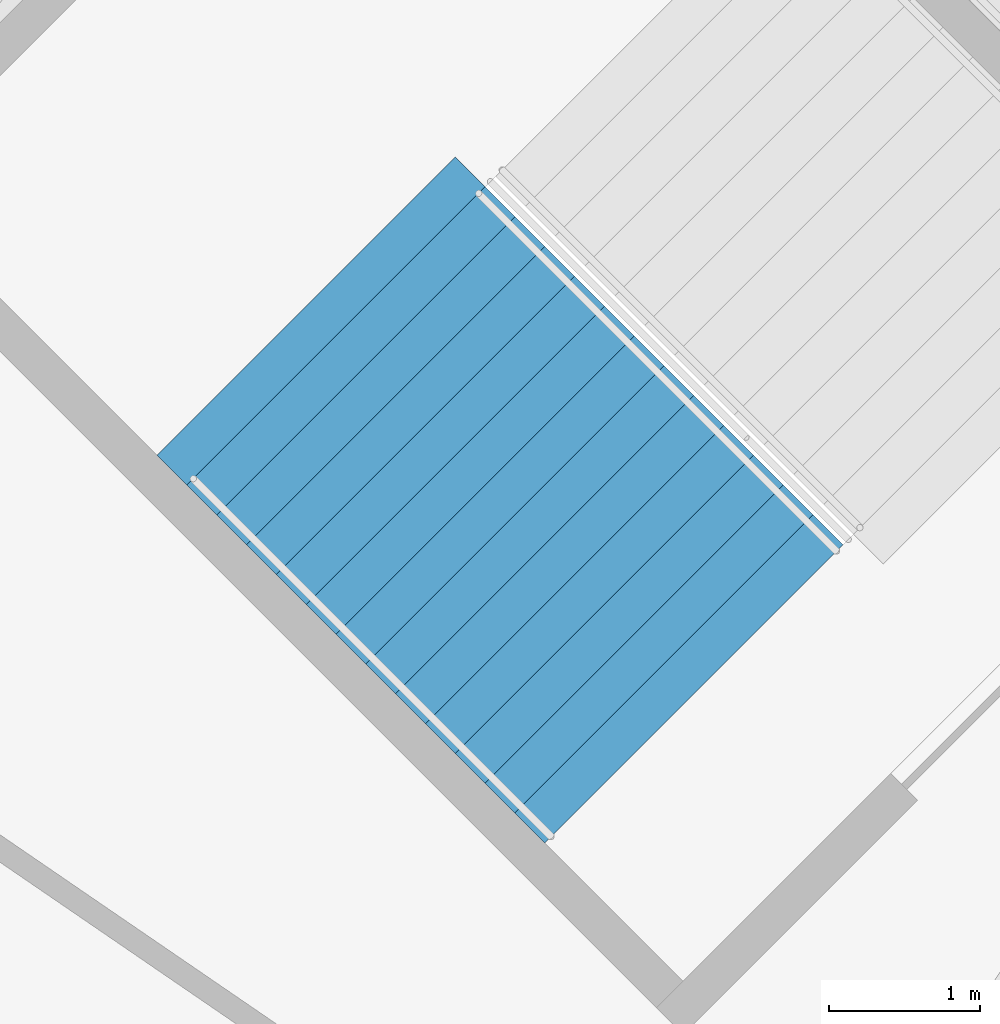
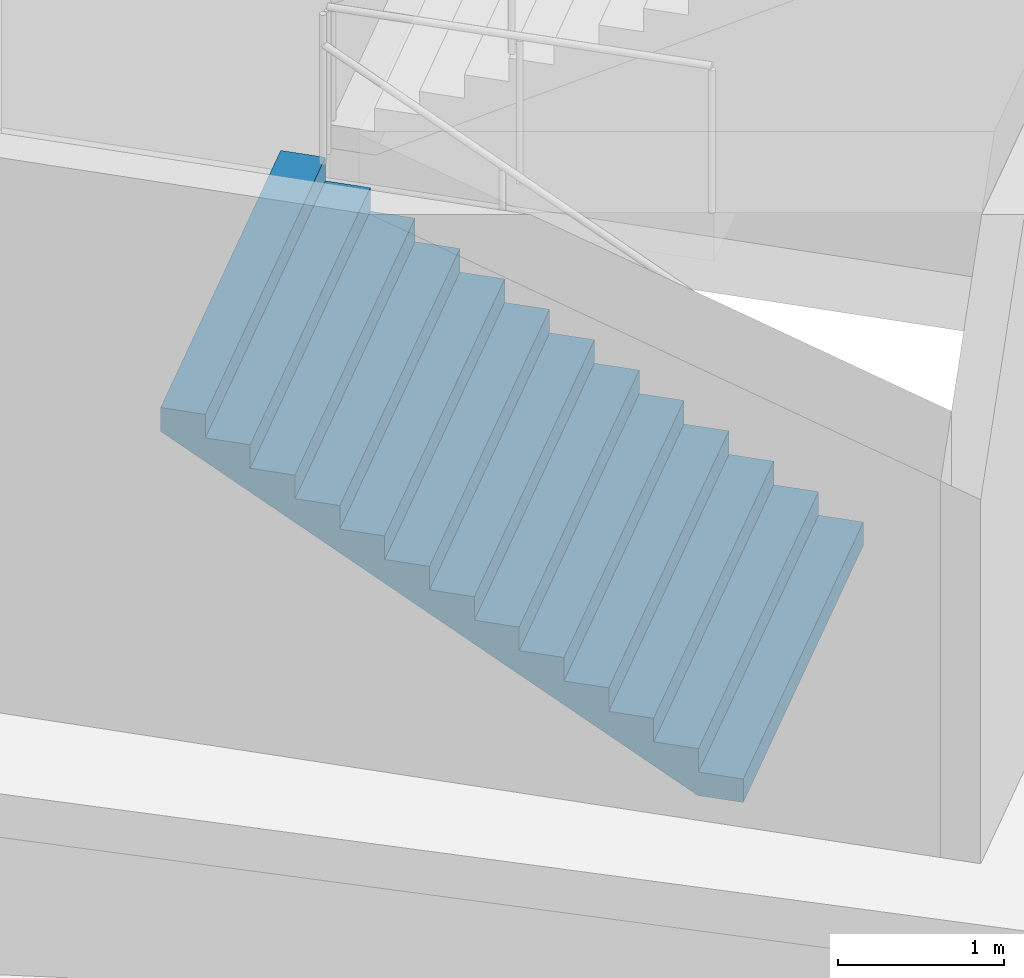
# One storey, part 158 of 199: 1 stair flight, 1 element without a shape of its own.
"""IFC4 building model written with IfcOpenShell, lengths in metres."""

from ifc_helpers import new_model, si_unit, direction, frame, origin, place, context, subcontext, project, spatial, faceted_brep, material, type_object, element, aggregate, save


model = new_model("IFC4")

# Units and contexts
model_context = context("Model", 3, precision=1e-05, world=origin(), true_north=direction((0.0, 1.0)))
body_context = subcontext(model_context, "Body", "Model", "MODEL_VIEW")
ifc_project = project(units=[si_unit("LENGTHUNIT", "METRE"), si_unit("AREAUNIT", "SQUARE_METRE"), si_unit("VOLUMEUNIT", "CUBIC_METRE"), si_unit("PLANEANGLEUNIT", "RADIAN"), si_unit("MASSUNIT", "GRAM", prefix="KILO")], contexts=[model_context])

# Site, building, storey
site_placement = place(None, origin())
site = spatial("IfcSite", under=ifc_project, at=site_placement, CompositionType="ELEMENT")
building_placement = place(site_placement, origin())
building = spatial("IfcBuilding", under=site, at=building_placement, Name="Ogive Plaza Stadium", CompositionType="ELEMENT")
storey_placement = place(building_placement, frame((0.0, 0.0, 4.5)))
storey = spatial("IfcBuildingStorey", under=building, at=storey_placement, Name="L01", CompositionType="ELEMENT", Elevation=4.5)

# Stair, stair flight
ifc_material_1 = material(Name="Concrete C40/50", Category="concrete")
stair_type = type_object("IfcStairType", Name="Exit stair", PredefinedType="STRAIGHT_RUN_STAIR", material=ifc_material_1)
stair_placement = place(storey_placement, origin())
stair = element("IfcStair", 1, at=stair_placement, inside=storey, type_object=stair_type, Name="Exit stair ST30B L01 to L02", PredefinedType="STRAIGHT_RUN_STAIR")
ifc_material_2 = material(Name="Concrete C40/50", Category="concrete")
stair_flight_type = type_object("IfcStairFlightType", Name="Exit stair flight", PredefinedType="STRAIGHT", material=ifc_material_2)
stair_flight_placement = place(storey_placement, frame((-67.074951171875, 79.317138671875, 0.0), z_axis=(0.0, 0.0, 1.0), x_axis=(-0.707106781187, 0.707106781187, 0.0)))
stair_flight = element("IfcStairFlight", 2, at=stair_flight_placement, type_object=stair_flight_type, Name="ST30B flight 1", NumberOfRisers=13, NumberOfTreads=12, PredefinedType="STRAIGHT", RiserHeight=0.173076923, TreadLength=0.28, context=body_context, shape_type="Brep", body=[
    faceted_brep([(0.28515625, -1.39990234375, 0.0), (3.639892578125, -1.39990234375, 2.07373046875), (3.639892578125, -1.39990234375, 2.25), (3.360107421875, -1.39990234375, 2.25), (3.360107421875, -1.39990234375, 2.076904296875), (3.080078125, -1.39990234375, 2.076904296875), (3.080078125, -1.39990234375, 1.90380859375), (2.800048828125, -1.39990234375, 1.90380859375), (2.800048828125, -1.39990234375, 1.730712890625), (2.52001953125, -1.39990234375, 1.730712890625), (2.52001953125, -1.39990234375, 1.5576171875), (2.239990234375, -1.39990234375, 1.5576171875), (2.239990234375, -1.39990234375, 1.384521484375), (1.9599609375, -1.39990234375, 1.384521484375), (1.9599609375, -1.39990234375, 1.21142578125), (1.679931640625, -1.39990234375, 1.21142578125), (1.679931640625, -1.39990234375, 1.03857421875), (1.39990234375, -1.39990234375, 1.03857421875), (1.39990234375, -1.39990234375, 0.865478515625), (1.1201171875, -1.39990234375, 0.865478515625), (1.1201171875, -1.39990234375, 0.6923828125), (0.840087890625, -1.39990234375, 0.6923828125), (0.840087890625, -1.39990234375, 0.519287109375), (0.56005859375, -1.39990234375, 0.519287109375), (0.56005859375, -1.39990234375, 0.34619140625), (0.280029296875, -1.39990234375, 0.34619140625), (0.280029296875, -1.39990234375, 0.173095703125), (0.0, -1.39990234375, 0.173095703125), (0.0, -1.39990234375, 0.0), (0.0, 1.39990234375, 0.0), (0.0, 1.39990234375, 0.173095703125), (0.280029296875, 1.39990234375, 0.173095703125), (0.280029296875, 1.39990234375, 0.34619140625), (0.56005859375, 1.39990234375, 0.34619140625), (0.56005859375, 1.39990234375, 0.519287109375), (0.840087890625, 1.39990234375, 0.519287109375), (0.840087890625, 1.39990234375, 0.6923828125), (1.1201171875, 1.39990234375, 0.6923828125), (1.1201171875, 1.39990234375, 0.865478515625), (1.39990234375, 1.39990234375, 0.865478515625), (1.39990234375, 1.39990234375, 1.03857421875), (1.679931640625, 1.39990234375, 1.03857421875), (1.679931640625, 1.39990234375, 1.21142578125), (1.9599609375, 1.39990234375, 1.21142578125), (1.9599609375, 1.39990234375, 1.384521484375), (2.239990234375, 1.39990234375, 1.384521484375), (2.239990234375, 1.39990234375, 1.5576171875), (2.52001953125, 1.39990234375, 1.5576171875), (2.52001953125, 1.39990234375, 1.730712890625), (2.800048828125, 1.39990234375, 1.730712890625), (2.800048828125, 1.39990234375, 1.90380859375), (3.080078125, 1.39990234375, 1.90380859375), (3.080078125, 1.39990234375, 2.076904296875), (3.360107421875, 1.39990234375, 2.076904296875), (3.360107421875, 1.39990234375, 2.25), (3.639892578125, 1.39990234375, 2.25), (3.639892578125, 1.39990234375, 2.07373046875), (0.28515625, 1.39990234375, 0.0), (0.28515625, -1.0888671875, 0.0), (3.639892578125, -1.0888671875, 2.07373046875), (0.28515625, -0.77783203125, 0.0), (3.639892578125, -0.77783203125, 2.07373046875), (0.28515625, -0.466796875, 0.0), (3.639892578125, -0.466796875, 2.07373046875), (0.28515625, -0.155517578125, 0.0), (3.639892578125, -0.155517578125, 2.07373046875), (0.28515625, 0.155517578125, 0.0), (3.639892578125, 0.155517578125, 2.07373046875), (0.28515625, 0.466796875, 0.0), (3.639892578125, 0.466796875, 2.07373046875), (0.28515625, 0.77783203125, 0.0), (3.639892578125, 0.77783203125, 2.07373046875), (0.28515625, 1.0888671875, 0.0), (3.639892578125, 1.0888671875, 2.07373046875), (3.639892578125, -1.0888671875, 2.25), (3.639892578125, -0.77783203125, 2.25), (3.639892578125, -0.466796875, 2.25), (3.639892578125, -0.155517578125, 2.25), (3.639892578125, 0.155517578125, 2.25), (3.639892578125, 0.466796875, 2.25), (3.639892578125, 0.77783203125, 2.25), (3.639892578125, 1.0888671875, 2.25), (3.360107421875, -1.0888671875, 2.25), (3.360107421875, -0.77783203125, 2.25), (3.360107421875, -0.466796875, 2.25), (3.360107421875, -0.155517578125, 2.25), (3.360107421875, 0.155517578125, 2.25), (3.360107421875, 0.466796875, 2.25), (3.360107421875, 0.77783203125, 2.25), (3.360107421875, 1.0888671875, 2.25), (3.360107421875, -1.0888671875, 2.076904296875), (3.360107421875, -0.77783203125, 2.076904296875), (3.360107421875, -0.466796875, 2.076904296875), (3.360107421875, -0.155517578125, 2.076904296875), (3.360107421875, 0.155517578125, 2.076904296875), (3.360107421875, 0.466796875, 2.076904296875), (3.360107421875, 0.77783203125, 2.076904296875), (3.360107421875, 1.0888671875, 2.076904296875), (3.080078125, -1.0888671875, 2.076904296875), (3.080078125, -0.77783203125, 2.076904296875), (3.080078125, -0.466796875, 2.076904296875), (3.080078125, -0.155517578125, 2.076904296875), (3.080078125, 0.155517578125, 2.076904296875), (3.080078125, 0.466796875, 2.076904296875), (3.080078125, 0.77783203125, 2.076904296875), (3.080078125, 1.0888671875, 2.076904296875), (3.080078125, -1.0888671875, 1.90380859375), (3.080078125, -0.77783203125, 1.90380859375), (3.080078125, -0.466796875, 1.90380859375), (3.080078125, -0.155517578125, 1.90380859375), (3.080078125, 0.155517578125, 1.90380859375), (3.080078125, 0.466796875, 1.90380859375), (3.080078125, 0.77783203125, 1.90380859375), (3.080078125, 1.0888671875, 1.90380859375), (2.800048828125, -1.0888671875, 1.90380859375), (2.800048828125, -0.77783203125, 1.90380859375), (2.800048828125, -0.466796875, 1.90380859375), (2.800048828125, -0.155517578125, 1.90380859375), (2.800048828125, 0.155517578125, 1.90380859375), (2.800048828125, 0.466796875, 1.90380859375), (2.800048828125, 0.77783203125, 1.90380859375), (2.800048828125, 1.0888671875, 1.90380859375), (2.800048828125, -1.0888671875, 1.730712890625), (2.800048828125, -0.77783203125, 1.730712890625), (2.800048828125, -0.466796875, 1.730712890625), (2.800048828125, -0.155517578125, 1.730712890625), (2.800048828125, 0.155517578125, 1.730712890625), (2.800048828125, 0.466796875, 1.730712890625), (2.800048828125, 0.77783203125, 1.730712890625), (2.800048828125, 1.0888671875, 1.730712890625), (2.52001953125, -1.0888671875, 1.730712890625), (2.52001953125, -0.77783203125, 1.730712890625), (2.52001953125, -0.466796875, 1.730712890625), (2.52001953125, -0.155517578125, 1.730712890625), (2.52001953125, 0.155517578125, 1.730712890625), (2.52001953125, 0.466796875, 1.730712890625), (2.52001953125, 0.77783203125, 1.730712890625), (2.52001953125, 1.0888671875, 1.730712890625), (2.52001953125, -1.0888671875, 1.5576171875), (2.52001953125, -0.77783203125, 1.5576171875), (2.52001953125, -0.466796875, 1.5576171875), (2.52001953125, -0.155517578125, 1.5576171875), (2.52001953125, 0.155517578125, 1.5576171875), (2.52001953125, 0.466796875, 1.5576171875), (2.52001953125, 0.77783203125, 1.5576171875), (2.52001953125, 1.0888671875, 1.5576171875), (2.239990234375, -1.0888671875, 1.5576171875), (2.239990234375, -0.77783203125, 1.5576171875), (2.239990234375, -0.466796875, 1.5576171875), (2.239990234375, -0.155517578125, 1.5576171875), (2.239990234375, 0.155517578125, 1.5576171875), (2.239990234375, 0.466796875, 1.5576171875), (2.239990234375, 0.77783203125, 1.5576171875), (2.239990234375, 1.0888671875, 1.5576171875), (2.239990234375, -1.0888671875, 1.384521484375), (2.239990234375, -0.77783203125, 1.384521484375), (2.239990234375, -0.466796875, 1.384521484375), (2.239990234375, -0.155517578125, 1.384521484375), (2.239990234375, 0.155517578125, 1.384521484375), (2.239990234375, 0.466796875, 1.384521484375), (2.239990234375, 0.77783203125, 1.384521484375), (2.239990234375, 1.0888671875, 1.384521484375), (1.9599609375, -1.0888671875, 1.384521484375), (1.9599609375, -0.77783203125, 1.384521484375), (1.9599609375, -0.466796875, 1.384521484375), (1.9599609375, -0.155517578125, 1.384521484375), (1.9599609375, 0.155517578125, 1.384521484375), (1.9599609375, 0.466796875, 1.384521484375), (1.9599609375, 0.77783203125, 1.384521484375), (1.9599609375, 1.0888671875, 1.384521484375), (1.9599609375, -1.0888671875, 1.21142578125), (1.9599609375, -0.77783203125, 1.21142578125), (1.9599609375, -0.466796875, 1.21142578125), (1.9599609375, -0.155517578125, 1.21142578125), (1.9599609375, 0.155517578125, 1.21142578125), (1.9599609375, 0.466796875, 1.21142578125), (1.9599609375, 0.77783203125, 1.21142578125), (1.9599609375, 1.0888671875, 1.21142578125), (1.679931640625, -1.0888671875, 1.21142578125), (1.679931640625, -0.77783203125, 1.21142578125), (1.679931640625, -0.466796875, 1.21142578125), (1.679931640625, -0.155517578125, 1.21142578125), (1.679931640625, 0.155517578125, 1.21142578125), (1.679931640625, 0.466796875, 1.21142578125), (1.679931640625, 0.77783203125, 1.21142578125), (1.679931640625, 1.0888671875, 1.21142578125), (1.679931640625, -1.0888671875, 1.03857421875), (1.679931640625, -0.77783203125, 1.03857421875), (1.679931640625, -0.466796875, 1.03857421875), (1.679931640625, -0.155517578125, 1.03857421875), (1.679931640625, 0.155517578125, 1.03857421875), (1.679931640625, 0.466796875, 1.03857421875), (1.679931640625, 0.77783203125, 1.03857421875), (1.679931640625, 1.0888671875, 1.03857421875), (1.39990234375, -1.0888671875, 1.03857421875), (1.39990234375, -0.77783203125, 1.03857421875), (1.39990234375, -0.466796875, 1.03857421875), (1.39990234375, -0.155517578125, 1.03857421875), (1.39990234375, 0.155517578125, 1.03857421875), (1.39990234375, 0.466796875, 1.03857421875), (1.39990234375, 0.77783203125, 1.03857421875), (1.39990234375, 1.0888671875, 1.03857421875), (1.39990234375, -1.0888671875, 0.865478515625), (1.39990234375, -0.77783203125, 0.865478515625), (1.39990234375, -0.466796875, 0.865478515625), (1.39990234375, -0.155517578125, 0.865478515625), (1.39990234375, 0.155517578125, 0.865478515625), (1.39990234375, 0.466796875, 0.865478515625), (1.39990234375, 0.77783203125, 0.865478515625), (1.39990234375, 1.0888671875, 0.865478515625), (1.1201171875, -1.0888671875, 0.865478515625), (1.1201171875, -0.77783203125, 0.865478515625), (1.1201171875, -0.466796875, 0.865478515625), (1.1201171875, -0.155517578125, 0.865478515625), (1.1201171875, 0.155517578125, 0.865478515625), (1.1201171875, 0.466796875, 0.865478515625), (1.1201171875, 0.77783203125, 0.865478515625), (1.1201171875, 1.0888671875, 0.865478515625), (1.1201171875, -1.0888671875, 0.6923828125), (1.1201171875, -0.77783203125, 0.6923828125), (1.1201171875, -0.466796875, 0.6923828125), (1.1201171875, -0.155517578125, 0.6923828125), (1.1201171875, 0.155517578125, 0.6923828125), (1.1201171875, 0.466796875, 0.6923828125), (1.1201171875, 0.77783203125, 0.6923828125), (1.1201171875, 1.0888671875, 0.6923828125), (0.840087890625, -1.0888671875, 0.6923828125), (0.840087890625, -0.77783203125, 0.6923828125), (0.840087890625, -0.466796875, 0.6923828125), (0.840087890625, -0.155517578125, 0.6923828125), (0.840087890625, 0.155517578125, 0.6923828125), (0.840087890625, 0.466796875, 0.6923828125), (0.840087890625, 0.77783203125, 0.6923828125), (0.840087890625, 1.0888671875, 0.6923828125), (0.840087890625, -1.0888671875, 0.519287109375), (0.840087890625, -0.77783203125, 0.519287109375), (0.840087890625, -0.466796875, 0.519287109375), (0.840087890625, -0.155517578125, 0.519287109375), (0.840087890625, 0.155517578125, 0.519287109375), (0.840087890625, 0.466796875, 0.519287109375), (0.840087890625, 0.77783203125, 0.519287109375), (0.840087890625, 1.0888671875, 0.519287109375), (0.56005859375, -1.0888671875, 0.519287109375), (0.56005859375, -0.77783203125, 0.519287109375), (0.56005859375, -0.466796875, 0.519287109375), (0.56005859375, -0.155517578125, 0.519287109375), (0.56005859375, 0.155517578125, 0.519287109375), (0.56005859375, 0.466796875, 0.519287109375), (0.56005859375, 0.77783203125, 0.519287109375), (0.56005859375, 1.0888671875, 0.519287109375), (0.56005859375, -1.0888671875, 0.34619140625), (0.56005859375, -0.77783203125, 0.34619140625), (0.56005859375, -0.466796875, 0.34619140625), (0.56005859375, -0.155517578125, 0.34619140625), (0.56005859375, 0.155517578125, 0.34619140625), (0.56005859375, 0.466796875, 0.34619140625), (0.56005859375, 0.77783203125, 0.34619140625), (0.56005859375, 1.0888671875, 0.34619140625), (0.280029296875, -1.0888671875, 0.34619140625), (0.280029296875, -0.77783203125, 0.34619140625), (0.280029296875, -0.466796875, 0.34619140625), (0.280029296875, -0.155517578125, 0.34619140625), (0.280029296875, 0.155517578125, 0.34619140625), (0.280029296875, 0.466796875, 0.34619140625), (0.280029296875, 0.77783203125, 0.34619140625), (0.280029296875, 1.0888671875, 0.34619140625), (0.280029296875, -1.0888671875, 0.173095703125), (0.280029296875, -0.77783203125, 0.173095703125), (0.280029296875, -0.466796875, 0.173095703125), (0.280029296875, -0.155517578125, 0.173095703125), (0.280029296875, 0.155517578125, 0.173095703125), (0.280029296875, 0.466796875, 0.173095703125), (0.280029296875, 0.77783203125, 0.173095703125), (0.280029296875, 1.0888671875, 0.173095703125), (0.0, -1.0888671875, 0.173095703125), (0.0, -0.77783203125, 0.173095703125), (0.0, -0.466796875, 0.173095703125), (0.0, -0.155517578125, 0.173095703125), (0.0, 0.155517578125, 0.173095703125), (0.0, 0.466796875, 0.173095703125), (0.0, 0.77783203125, 0.173095703125), (0.0, 1.0888671875, 0.173095703125), (0.0, -1.0888671875, 0.0), (0.0, -0.77783203125, 0.0), (0.0, -0.466796875, 0.0), (0.0, -0.155517578125, 0.0), (0.0, 0.155517578125, 0.0), (0.0, 0.466796875, 0.0), (0.0, 0.77783203125, 0.0), (0.0, 1.0888671875, 0.0)], [[[0, 1, 2, 3, 4, 5, 6, 7, 8, 9, 10, 11, 12, 13, 14, 15, 16, 17, 18, 19, 20, 21, 22, 23, 24, 25, 26, 27, 28]], [[29, 30, 31, 32, 33, 34, 35, 36, 37, 38, 39, 40, 41, 42, 43, 44, 45, 46, 47, 48, 49, 50, 51, 52, 53, 54, 55, 56, 57]], [[0, 58, 59, 1]], [[58, 60, 61, 59]], [[60, 62, 63, 61]], [[62, 64, 65, 63]], [[64, 66, 67, 65]], [[66, 68, 69, 67]], [[68, 70, 71, 69]], [[70, 72, 73, 71]], [[72, 57, 56, 73]], [[1, 59, 74, 2]], [[59, 61, 75, 74]], [[61, 63, 76, 75]], [[63, 65, 77, 76]], [[65, 67, 78, 77]], [[67, 69, 79, 78]], [[69, 71, 80, 79]], [[71, 73, 81, 80]], [[73, 56, 55, 81]], [[2, 74, 82, 3]], [[74, 75, 83, 82]], [[75, 76, 84, 83]], [[76, 77, 85, 84]], [[77, 78, 86, 85]], [[78, 79, 87, 86]], [[79, 80, 88, 87]], [[80, 81, 89, 88]], [[81, 55, 54, 89]], [[3, 82, 90, 4]], [[82, 83, 91, 90]], [[83, 84, 92, 91]], [[84, 85, 93, 92]], [[85, 86, 94, 93]], [[86, 87, 95, 94]], [[87, 88, 96, 95]], [[88, 89, 97, 96]], [[89, 54, 53, 97]], [[4, 90, 98, 5]], [[90, 91, 99, 98]], [[91, 92, 100, 99]], [[92, 93, 101, 100]], [[93, 94, 102, 101]], [[94, 95, 103, 102]], [[95, 96, 104, 103]], [[96, 97, 105, 104]], [[97, 53, 52, 105]], [[5, 98, 106, 6]], [[98, 99, 107, 106]], [[99, 100, 108, 107]], [[100, 101, 109, 108]], [[101, 102, 110, 109]], [[102, 103, 111, 110]], [[103, 104, 112, 111]], [[104, 105, 113, 112]], [[105, 52, 51, 113]], [[6, 106, 114, 7]], [[106, 107, 115, 114]], [[107, 108, 116, 115]], [[108, 109, 117, 116]], [[109, 110, 118, 117]], [[110, 111, 119, 118]], [[111, 112, 120, 119]], [[112, 113, 121, 120]], [[113, 51, 50, 121]], [[7, 114, 122, 8]], [[114, 115, 123, 122]], [[115, 116, 124, 123]], [[116, 117, 125, 124]], [[117, 118, 126, 125]], [[118, 119, 127, 126]], [[119, 120, 128, 127]], [[120, 121, 129, 128]], [[121, 50, 49, 129]], [[8, 122, 130, 9]], [[122, 123, 131, 130]], [[123, 124, 132, 131]], [[124, 125, 133, 132]], [[125, 126, 134, 133]], [[126, 127, 135, 134]], [[127, 128, 136, 135]], [[128, 129, 137, 136]], [[129, 49, 48, 137]], [[9, 130, 138, 10]], [[130, 131, 139, 138]], [[131, 132, 140, 139]], [[132, 133, 141, 140]], [[133, 134, 142, 141]], [[134, 135, 143, 142]], [[135, 136, 144, 143]], [[136, 137, 145, 144]], [[137, 48, 47, 145]], [[10, 138, 146, 11]], [[138, 139, 147, 146]], [[139, 140, 148, 147]], [[140, 141, 149, 148]], [[141, 142, 150, 149]], [[142, 143, 151, 150]], [[143, 144, 152, 151]], [[144, 145, 153, 152]], [[145, 47, 46, 153]], [[11, 146, 154, 12]], [[146, 147, 155, 154]], [[147, 148, 156, 155]], [[148, 149, 157, 156]], [[149, 150, 158, 157]], [[150, 151, 159, 158]], [[151, 152, 160, 159]], [[152, 153, 161, 160]], [[153, 46, 45, 161]], [[12, 154, 162, 13]], [[154, 155, 163, 162]], [[155, 156, 164, 163]], [[156, 157, 165, 164]], [[157, 158, 166, 165]], [[158, 159, 167, 166]], [[159, 160, 168, 167]], [[160, 161, 169, 168]], [[161, 45, 44, 169]], [[13, 162, 170, 14]], [[162, 163, 171, 170]], [[163, 164, 172, 171]], [[164, 165, 173, 172]], [[165, 166, 174, 173]], [[166, 167, 175, 174]], [[167, 168, 176, 175]], [[168, 169, 177, 176]], [[169, 44, 43, 177]], [[14, 170, 178, 15]], [[170, 171, 179, 178]], [[171, 172, 180, 179]], [[172, 173, 181, 180]], [[173, 174, 182, 181]], [[174, 175, 183, 182]], [[175, 176, 184, 183]], [[176, 177, 185, 184]], [[177, 43, 42, 185]], [[15, 178, 186, 16]], [[178, 179, 187, 186]], [[179, 180, 188, 187]], [[180, 181, 189, 188]], [[181, 182, 190, 189]], [[182, 183, 191, 190]], [[183, 184, 192, 191]], [[184, 185, 193, 192]], [[185, 42, 41, 193]], [[16, 186, 194, 17]], [[186, 187, 195, 194]], [[187, 188, 196, 195]], [[188, 189, 197, 196]], [[189, 190, 198, 197]], [[190, 191, 199, 198]], [[191, 192, 200, 199]], [[192, 193, 201, 200]], [[193, 41, 40, 201]], [[17, 194, 202, 18]], [[194, 195, 203, 202]], [[195, 196, 204, 203]], [[196, 197, 205, 204]], [[197, 198, 206, 205]], [[198, 199, 207, 206]], [[199, 200, 208, 207]], [[200, 201, 209, 208]], [[201, 40, 39, 209]], [[18, 202, 210, 19]], [[202, 203, 211, 210]], [[203, 204, 212, 211]], [[204, 205, 213, 212]], [[205, 206, 214, 213]], [[206, 207, 215, 214]], [[207, 208, 216, 215]], [[208, 209, 217, 216]], [[209, 39, 38, 217]], [[19, 210, 218, 20]], [[210, 211, 219, 218]], [[211, 212, 220, 219]], [[212, 213, 221, 220]], [[213, 214, 222, 221]], [[214, 215, 223, 222]], [[215, 216, 224, 223]], [[216, 217, 225, 224]], [[217, 38, 37, 225]], [[20, 218, 226, 21]], [[218, 219, 227, 226]], [[219, 220, 228, 227]], [[220, 221, 229, 228]], [[221, 222, 230, 229]], [[222, 223, 231, 230]], [[223, 224, 232, 231]], [[224, 225, 233, 232]], [[225, 37, 36, 233]], [[21, 226, 234, 22]], [[226, 227, 235, 234]], [[227, 228, 236, 235]], [[228, 229, 237, 236]], [[229, 230, 238, 237]], [[230, 231, 239, 238]], [[231, 232, 240, 239]], [[232, 233, 241, 240]], [[233, 36, 35, 241]], [[22, 234, 242, 23]], [[234, 235, 243, 242]], [[235, 236, 244, 243]], [[236, 237, 245, 244]], [[237, 238, 246, 245]], [[238, 239, 247, 246]], [[239, 240, 248, 247]], [[240, 241, 249, 248]], [[241, 35, 34, 249]], [[23, 242, 250, 24]], [[242, 243, 251, 250]], [[243, 244, 252, 251]], [[244, 245, 253, 252]], [[245, 246, 254, 253]], [[246, 247, 255, 254]], [[247, 248, 256, 255]], [[248, 249, 257, 256]], [[249, 34, 33, 257]], [[24, 250, 258, 25]], [[250, 251, 259, 258]], [[251, 252, 260, 259]], [[252, 253, 261, 260]], [[253, 254, 262, 261]], [[254, 255, 263, 262]], [[255, 256, 264, 263]], [[256, 257, 265, 264]], [[257, 33, 32, 265]], [[25, 258, 266, 26]], [[258, 259, 267, 266]], [[259, 260, 268, 267]], [[260, 261, 269, 268]], [[261, 262, 270, 269]], [[262, 263, 271, 270]], [[263, 264, 272, 271]], [[264, 265, 273, 272]], [[265, 32, 31, 273]], [[26, 266, 274, 27]], [[266, 267, 275, 274]], [[267, 268, 276, 275]], [[268, 269, 277, 276]], [[269, 270, 278, 277]], [[270, 271, 279, 278]], [[271, 272, 280, 279]], [[272, 273, 281, 280]], [[273, 31, 30, 281]], [[27, 274, 282, 28]], [[274, 275, 283, 282]], [[275, 276, 284, 283]], [[276, 277, 285, 284]], [[277, 278, 286, 285]], [[278, 279, 287, 286]], [[279, 280, 288, 287]], [[280, 281, 289, 288]], [[281, 30, 29, 289]], [[28, 282, 58, 0]], [[282, 283, 60, 58]], [[283, 284, 62, 60]], [[284, 285, 64, 62]], [[285, 286, 66, 64]], [[286, 287, 68, 66]], [[287, 288, 70, 68]], [[288, 289, 72, 70]], [[289, 29, 57, 72]]]),
])
aggregate(stair, [stair_flight])

save(model, "model.ifc")
